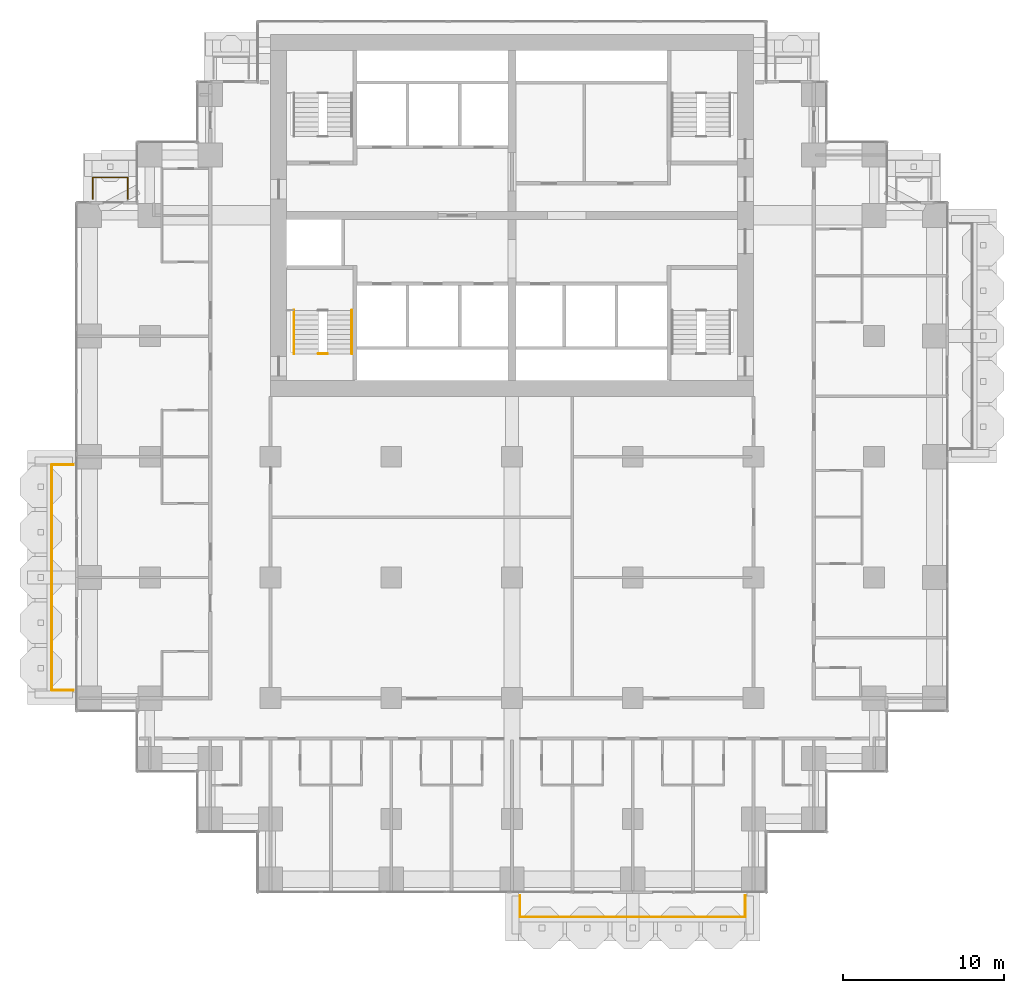
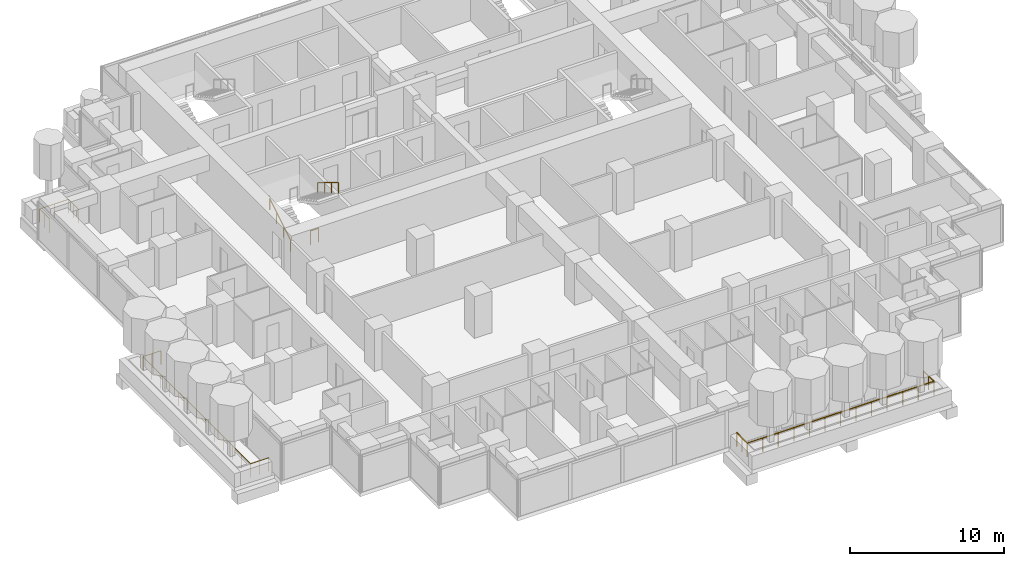
# One storey, part 18 of 20: 6 railings.
"""IFC4 building model written with IfcOpenShell, lengths in metres."""

from ifc_helpers import new_model, si_unit, direction, frame, origin, origin_2d, place, context, subcontext, project, spatial, circle, extrude, material, type_object, element, save


model = new_model("IFC4")

# Units and contexts
model_context = context("Model", 3, precision=1e-05, world=origin(), true_north=direction((0.0, 1.0)))
body_context = subcontext(model_context, "Body", "Model", "MODEL_VIEW")
ifc_project = project(units=[si_unit("LENGTHUNIT", "METRE"), si_unit("AREAUNIT", "SQUARE_METRE"), si_unit("VOLUMEUNIT", "CUBIC_METRE"), si_unit("PLANEANGLEUNIT", "RADIAN"), si_unit("MASSUNIT", "GRAM", prefix="KILO")], contexts=[model_context])

# Site, building, storey
site_placement = place(None, origin())
site = spatial("IfcSite", under=ifc_project, at=site_placement, CompositionType="ELEMENT")
building_placement = place(site_placement, origin())
building = spatial("IfcBuilding", under=site, at=building_placement, Name="Pilkhan Gate Tower", CompositionType="ELEMENT")
storey_placement = place(building_placement, frame((0.0, 0.0, 98.89990234375)))
storey = spatial("IfcBuildingStorey", under=building, at=storey_placement, Name="L24", CompositionType="ELEMENT", Elevation=98.89990234375)

# Railings
ifc_material_1 = material(Name="Pale anodised aluminium posts, laminated glass infill", Category="aluminium")
railing_type_1 = type_object("IfcRailingType", Name="Balcony guard G1", PredefinedType="BALUSTRADE", material=ifc_material_1)
railing_1_placement = place(storey_placement, frame((75.5, 40.25, 0.0)))
element("IfcRailing", 1, at=railing_1_placement, inside=storey, type_object=railing_type_1, Name="Balcony guard L24 S", PredefinedType="BALUSTRADE", context=body_context, shape_type="SweptSolid", body=[
    extrude(circle(Radius=0.02392578125, at=origin_2d()), frame((0.0, 0.0, 1.076171875), z_axis=(0.0, -1.0, 0.0), x_axis=(1.0, 0.0, 0.0)), (0.0, 0.0, 1.0), 1.35009765625),
    extrude(circle(Radius=0.02392578125, at=origin_2d()), frame((0.0, -1.35009765625, 1.076171875), z_axis=(1.0, 0.0, 0.0), x_axis=(0.0, 1.0, 0.0)), (0.0, 0.0, 1.0), 14.0),
    extrude(circle(Radius=0.02392578125, at=origin_2d()), frame((14.0, -1.35009765625, 1.076171875), z_axis=(0.0, 1.0, 0.0), x_axis=(-1.0, 0.0, 0.0)), (0.0, 0.0, 1.0), 1.35009765625),
    extrude(circle(Radius=0.02099609375, at=origin_2d()), origin(), (0.0, 0.0, 1.0), 1.052001953125),
    extrude(circle(Radius=0.02099609375, at=origin_2d()), frame((0.0, -0.675048828125, 0.0)), (0.0, 0.0, 1.0), 1.052001953125),
    extrude(circle(Radius=0.02099609375, at=origin_2d()), frame((0.0, -1.35009765625, 0.0)), (0.0, 0.0, 1.0), 1.052001953125),
    extrude(circle(Radius=0.02099609375, at=origin_2d()), frame((1.166748046875, -1.35009765625, 0.0)), (0.0, 0.0, 1.0), 1.052001953125),
    extrude(circle(Radius=0.02099609375, at=origin_2d()), frame((2.333251953125, -1.35009765625, 0.0)), (0.0, 0.0, 1.0), 1.052001953125),
    extrude(circle(Radius=0.02099609375, at=origin_2d()), frame((3.5, -1.35009765625, 0.0)), (0.0, 0.0, 1.0), 1.052001953125),
    extrude(circle(Radius=0.02099609375, at=origin_2d()), frame((4.666748046875, -1.35009765625, 0.0)), (0.0, 0.0, 1.0), 1.052001953125),
    extrude(circle(Radius=0.02099609375, at=origin_2d()), frame((5.833251953125, -1.35009765625, 0.0)), (0.0, 0.0, 1.0), 1.052001953125),
    extrude(circle(Radius=0.02099609375, at=origin_2d()), frame((7.0, -1.35009765625, 0.0)), (0.0, 0.0, 1.0), 1.052001953125),
    extrude(circle(Radius=0.02099609375, at=origin_2d()), frame((8.166748046875, -1.35009765625, 0.0)), (0.0, 0.0, 1.0), 1.052001953125),
    extrude(circle(Radius=0.02099609375, at=origin_2d()), frame((9.333251953125, -1.35009765625, 0.0)), (0.0, 0.0, 1.0), 1.052001953125),
    extrude(circle(Radius=0.02099609375, at=origin_2d()), frame((10.5, -1.35009765625, 0.0)), (0.0, 0.0, 1.0), 1.052001953125),
    extrude(circle(Radius=0.02099609375, at=origin_2d()), frame((11.666748046875, -1.35009765625, 0.0)), (0.0, 0.0, 1.0), 1.052001953125),
    extrude(circle(Radius=0.02099609375, at=origin_2d()), frame((12.833251953125, -1.35009765625, 0.0)), (0.0, 0.0, 1.0), 1.052001953125),
    extrude(circle(Radius=0.02099609375, at=origin_2d()), frame((14.0, -1.35009765625, 0.0)), (0.0, 0.0, 1.0), 1.052001953125),
    extrude(circle(Radius=0.02099609375, at=origin_2d()), frame((14.0, -0.675048828125, 0.0)), (0.0, 0.0, 1.0), 1.052001953125),
    extrude(circle(Radius=0.02099609375, at=origin_2d()), frame((14.0, 0.0, 0.0)), (0.0, 0.0, 1.0), 1.052001953125),
])
railing_2_placement = place(storey_placement, frame((48.949951171875, 83.52001953125, 0.0)))
element("IfcRailing", 2, at=railing_2_placement, inside=storey, type_object=railing_type_1, Name="Balcony guard L24 N", PredefinedType="BALUSTRADE", context=body_context, shape_type="SweptSolid", body=[
    extrude(circle(Radius=0.02392578125, at=origin_2d()), frame((0.0, 0.0, 1.076171875), z_axis=(0.0, 1.0, 0.0), x_axis=(-1.0, 0.0, 0.0)), (0.0, 0.0, 1.0), 1.330078125),
    extrude(circle(Radius=0.02392578125, at=origin_2d()), frame((0.0, 1.330078125, 1.076171875), z_axis=(1.0, 0.0, 0.0), x_axis=(0.0, 1.0, 0.0)), (0.0, 0.0, 1.0), 2.179931640625),
    extrude(circle(Radius=0.02392578125, at=origin_2d()), frame((2.179931640625, 1.330078125, 1.076171875), z_axis=(0.0, -1.0, 0.0), x_axis=(1.0, 0.0, 0.0)), (0.0, 0.0, 1.0), 1.330078125),
    extrude(circle(Radius=0.02099609375, at=origin_2d()), origin(), (0.0, 0.0, 1.0), 1.052001953125),
    extrude(circle(Radius=0.02099609375, at=origin_2d()), frame((0.0, 0.6650390625, 0.0)), (0.0, 0.0, 1.0), 1.052001953125),
    extrude(circle(Radius=0.02099609375, at=origin_2d()), frame((0.0, 1.330078125, 0.0)), (0.0, 0.0, 1.0), 1.052001953125),
    extrude(circle(Radius=0.02099609375, at=origin_2d()), frame((1.08984375, 1.330078125, 0.0)), (0.0, 0.0, 1.0), 1.052001953125),
    extrude(circle(Radius=0.02099609375, at=origin_2d()), frame((2.179931640625, 1.330078125, 0.0)), (0.0, 0.0, 1.0), 1.052001953125),
    extrude(circle(Radius=0.02099609375, at=origin_2d()), frame((2.179931640625, 0.6650390625, 0.0)), (0.0, 0.0, 1.0), 1.052001953125),
    extrude(circle(Radius=0.02099609375, at=origin_2d()), frame((2.179931640625, 0.0, 0.0)), (0.0, 0.0, 1.0), 1.052001953125),
])
railing_3_placement = place(storey_placement, frame((47.75, 53.0, 0.0)))
element("IfcRailing", 3, at=railing_3_placement, inside=storey, type_object=railing_type_1, Name="Balcony guard L24 W", PredefinedType="BALUSTRADE", context=body_context, shape_type="SweptSolid", body=[
    extrude(circle(Radius=0.02392578125, at=origin_2d()), frame((0.0, 0.0, 1.076171875), z_axis=(-1.0, 0.0, 0.0), x_axis=(0.0, -1.0, 0.0)), (0.0, 0.0, 1.0), 1.35009765625),
    extrude(circle(Radius=0.02392578125, at=origin_2d()), frame((-1.35009765625, 0.0, 1.076171875), z_axis=(0.0, 1.0, 0.0), x_axis=(-1.0, 0.0, 0.0)), (0.0, 0.0, 1.0), 14.0),
    extrude(circle(Radius=0.02392578125, at=origin_2d()), frame((-1.35009765625, 14.0, 1.076171875), z_axis=(1.0, 0.0, 0.0), x_axis=(0.0, 1.0, 0.0)), (0.0, 0.0, 1.0), 1.35009765625),
    extrude(circle(Radius=0.02099609375, at=origin_2d()), origin(), (0.0, 0.0, 1.0), 1.052001953125),
    extrude(circle(Radius=0.02099609375, at=origin_2d()), frame((-0.675048828125, 0.0, 0.0)), (0.0, 0.0, 1.0), 1.052001953125),
    extrude(circle(Radius=0.02099609375, at=origin_2d()), frame((-1.35009765625, 0.0, 0.0)), (0.0, 0.0, 1.0), 1.052001953125),
    extrude(circle(Radius=0.02099609375, at=origin_2d()), frame((-1.35009765625, 1.166748046875, 0.0)), (0.0, 0.0, 1.0), 1.052001953125),
    extrude(circle(Radius=0.02099609375, at=origin_2d()), frame((-1.35009765625, 2.333251953125, 0.0)), (0.0, 0.0, 1.0), 1.052001953125),
    extrude(circle(Radius=0.02099609375, at=origin_2d()), frame((-1.35009765625, 3.5, 0.0)), (0.0, 0.0, 1.0), 1.052001953125),
    extrude(circle(Radius=0.02099609375, at=origin_2d()), frame((-1.35009765625, 4.666748046875, 0.0)), (0.0, 0.0, 1.0), 1.052001953125),
    extrude(circle(Radius=0.02099609375, at=origin_2d()), frame((-1.35009765625, 5.833251953125, 0.0)), (0.0, 0.0, 1.0), 1.052001953125),
    extrude(circle(Radius=0.02099609375, at=origin_2d()), frame((-1.35009765625, 7.0, 0.0)), (0.0, 0.0, 1.0), 1.052001953125),
    extrude(circle(Radius=0.02099609375, at=origin_2d()), frame((-1.35009765625, 8.166748046875, 0.0)), (0.0, 0.0, 1.0), 1.052001953125),
    extrude(circle(Radius=0.02099609375, at=origin_2d()), frame((-1.35009765625, 9.333251953125, 0.0)), (0.0, 0.0, 1.0), 1.052001953125),
    extrude(circle(Radius=0.02099609375, at=origin_2d()), frame((-1.35009765625, 10.5, 0.0)), (0.0, 0.0, 1.0), 1.052001953125),
    extrude(circle(Radius=0.02099609375, at=origin_2d()), frame((-1.35009765625, 11.666748046875, 0.0)), (0.0, 0.0, 1.0), 1.052001953125),
    extrude(circle(Radius=0.02099609375, at=origin_2d()), frame((-1.35009765625, 12.833251953125, 0.0)), (0.0, 0.0, 1.0), 1.052001953125),
    extrude(circle(Radius=0.02099609375, at=origin_2d()), frame((-1.35009765625, 14.0, 0.0)), (0.0, 0.0, 1.0), 1.052001953125),
    extrude(circle(Radius=0.02099609375, at=origin_2d()), frame((-0.675048828125, 14.0, 0.0)), (0.0, 0.0, 1.0), 1.052001953125),
    extrude(circle(Radius=0.02099609375, at=origin_2d()), frame((0.0, 14.0, 0.0)), (0.0, 0.0, 1.0), 1.052001953125),
])
ifc_material_2 = material(Name="Black powder-coated steel tube", Category="steel")
railing_type_2 = type_object("IfcRailingType", Name="Stair handrail HR1", PredefinedType="HANDRAIL", material=ifc_material_2)
railing_4_placement = place(storey_placement, frame((61.449951171875, 73.89990234375, 0.0)))
element("IfcRailing", 4, at=railing_4_placement, inside=storey, type_object=railing_type_2, Name="Stair ST2 handrail L24", PredefinedType="HANDRAIL", context=body_context, shape_type="SweptSolid", body=[
    extrude(circle(Radius=0.02392578125, at=origin_2d()), frame((0.0, 0.0, 0.8759765625), z_axis=(0.0, 0.853278019476, 0.521456250781), x_axis=(-1.0, 0.0, 0.0)), (0.0, 0.0, 1.0), 3.16455078125),
    extrude(circle(Radius=0.02099609375, at=origin_2d()), origin(), (0.0, 0.0, 1.0), 0.851806640625),
    extrude(circle(Radius=0.02099609375, at=origin_2d()), frame((0.0, 0.900146484375, 0.550048828125)), (0.0, 0.0, 1.0), 0.851806640625),
    extrude(circle(Radius=0.02099609375, at=origin_2d()), frame((0.0, 1.800048828125, 1.10009765625)), (0.0, 0.0, 1.0), 0.851806640625),
    extrude(circle(Radius=0.02099609375, at=origin_2d()), frame((0.0, 2.7001953125, 1.650146484375)), (0.0, 0.0, 1.0), 0.851806640625),
])
railing_5_placement = place(storey_placement, frame((65.050048828125, 76.60009765625, 1.650146484375)))
element("IfcRailing", 5, at=railing_5_placement, inside=storey, type_object=railing_type_2, Name="Stair ST2 handrail L24", PredefinedType="HANDRAIL", context=body_context, shape_type="SweptSolid", body=[
    extrude(circle(Radius=0.02392578125, at=origin_2d()), frame((0.0, 0.0, 0.8759765625), z_axis=(0.0, -0.853312346642, 0.521400075823), x_axis=(1.0, 0.0, 0.0)), (0.0, 0.0, 1.0), 3.164306640625),
    extrude(circle(Radius=0.02099609375, at=origin_2d()), origin(), (0.0, 0.0, 1.0), 0.851806640625),
    extrude(circle(Radius=0.02099609375, at=origin_2d()), frame((0.0, -0.900146484375, 0.550048828125)), (0.0, 0.0, 1.0), 0.851806640625),
    extrude(circle(Radius=0.02099609375, at=origin_2d()), frame((0.0, -1.800048828125, 1.099853515625)), (0.0, 0.0, 1.0), 0.851806640625),
    extrude(circle(Radius=0.02099609375, at=origin_2d()), frame((0.0, -2.7001953125, 1.64990234375)), (0.0, 0.0, 1.0), 0.851806640625),
])
ifc_material_3 = material(Name="Black powder-coated steel balusters", Category="steel")
railing_type_3 = type_object("IfcRailingType", Name="Stair well guard G3", PredefinedType="GUARDRAIL", material=ifc_material_3)
railing_6_placement = place(storey_placement, frame((62.9599609375, 73.89990234375, 0.0)))
element("IfcRailing", 6, at=railing_6_placement, inside=storey, type_object=railing_type_3, Name="Stair ST2 well guard L24", PredefinedType="GUARDRAIL", context=body_context, shape_type="SweptSolid", body=[
    extrude(circle(Radius=0.02392578125, at=origin_2d()), frame((0.0, 0.0, 1.076171875), z_axis=(1.0, 0.0, 0.0), x_axis=(0.0, 1.0, 0.0)), (0.0, 0.0, 1.0), 0.580078125),
    extrude(circle(Radius=0.02099609375, at=origin_2d()), origin(), (0.0, 0.0, 1.0), 1.052001953125),
    extrude(circle(Radius=0.02099609375, at=origin_2d()), frame((0.580078125, 0.0, 0.0)), (0.0, 0.0, 1.0), 1.052001953125),
])

save(model, "model.ifc")
